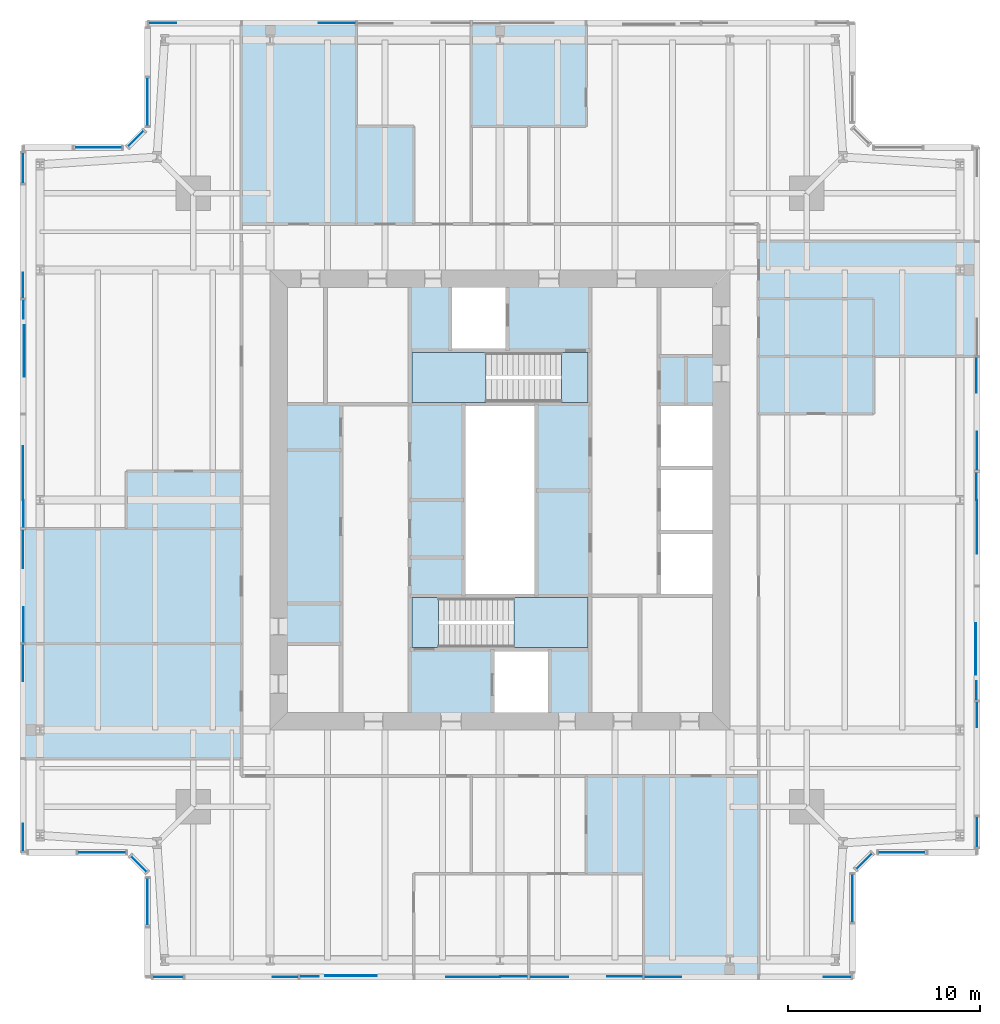
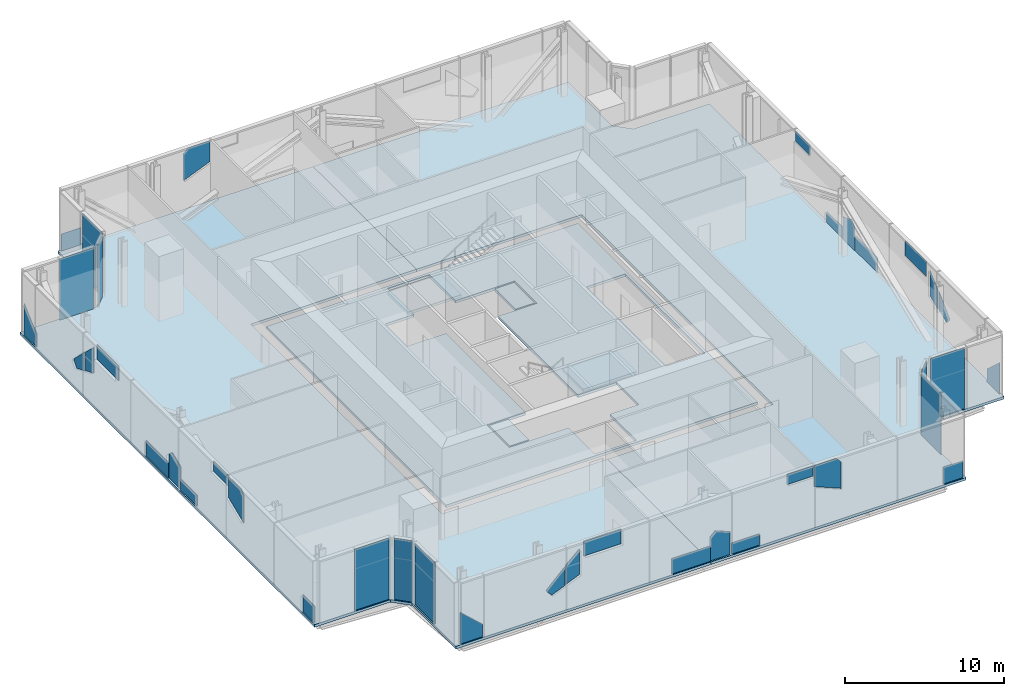
# One storey, part 6 of 15: 39 plates, 7 slabs, 15 elements without a shape of their own.
"""IFC4 building model written with IfcOpenShell, lengths in metres."""

from ifc_helpers import new_model, si_unit, direction, frame, origin, origin_2d, place, context, subcontext, project, spatial, polyline, rectangle, outline, extrude, material, layer, layer_set, type_object, element, aggregate, save


model = new_model("IFC4")

# Units and contexts
model_context = context("Model", 3, precision=1e-05, world=origin(), true_north=direction((0.0, 1.0)))
body_context = subcontext(model_context, "Body", "Model", "MODEL_VIEW")
ifc_project = project(units=[si_unit("LENGTHUNIT", "METRE"), si_unit("AREAUNIT", "SQUARE_METRE"), si_unit("VOLUMEUNIT", "CUBIC_METRE"), si_unit("PLANEANGLEUNIT", "RADIAN"), si_unit("MASSUNIT", "GRAM", prefix="KILO")], contexts=[model_context])

# Site, building, storey
site_placement = place(None, origin())
site = spatial("IfcSite", under=ifc_project, at=site_placement, CompositionType="ELEMENT")
building_placement = place(site_placement, origin())
building = spatial("IfcBuilding", under=site, at=building_placement, Name="Fenwick Lantern Interchange", CompositionType="ELEMENT")
storey_placement = place(building_placement, frame((0.0, 0.0, 296.800048828125)))
storey = spatial("IfcBuildingStorey", under=building, at=storey_placement, Name="L72", CompositionType="ELEMENT", Elevation=296.800048828125)

# Slabs
ifc_material_1 = material(Name="Concrete f'c 35 MPa", Category="concrete")
ifc_layer_1 = layer(ifc_material_1, 0.199951171875)
ifc_layer_set_1 = layer_set([ifc_layer_1], Name="CORE FLOOR SLAB 200")
slab_type_1 = type_object("IfcSlabType", Name="CORE FLOOR SLAB 200", PredefinedType="FLOOR", material=ifc_layer_set_1)
slab_1_placement = place(storey_placement, frame((0.0, 0.0, -0.199951171875)))
element("IfcSlab", 1, at=slab_1_placement, inside=storey, type_object=slab_type_1, Name="L72/SLAB/CORE", PredefinedType="FLOOR", context=body_context, shape_type="SweptSolid", body=[
    extrude(outline(polyline([(13.699951171875, 36.300048828125), (36.300048828125, 36.300048828125), (36.300048828125, 13.699951171875), (13.699951171875, 13.699951171875), (13.699951171875, 36.300048828125)]), holes=[polyline([(24.60009765625, 13.89990234375), (27.60009765625, 13.89990234375), (27.60009765625, 17.199951171875), (29.699951171875, 17.199951171875), (29.699951171875, 20.0), (26.89990234375, 20.0), (26.89990234375, 30.0), (29.699951171875, 30.0), (29.699951171875, 32.800048828125), (25.39990234375, 32.800048828125), (25.39990234375, 36.10009765625), (22.39990234375, 36.10009765625), (22.39990234375, 32.800048828125), (20.300048828125, 32.800048828125), (20.300048828125, 30.0), (23.10009765625, 30.0), (23.10009765625, 20.0), (20.300048828125, 20.0), (20.300048828125, 17.199951171875), (24.60009765625, 17.199951171875), (24.60009765625, 13.89990234375)]), polyline([(33.300048828125, 20.0), (36.10009765625, 20.0), (36.10009765625, 23.333251953125), (36.10009765625, 26.666748046875), (36.10009765625, 30.0), (33.300048828125, 30.0), (33.300048828125, 26.666748046875), (33.300048828125, 23.333251953125), (33.300048828125, 20.0)])]), origin(), (0.0, 0.0, 1.0), 0.199951171875),
])
ifc_material_2 = material(Name="Concrete f'c 35 MPa", Category="concrete")
ifc_layer_2 = layer(ifc_material_2, 0.199951171875)
ifc_layer_set_2 = layer_set([ifc_layer_2], Name="Concrete f'c 35 MPa")
slab_type_2 = type_object("IfcSlabType", Name="FLOOR SLAB 200", PredefinedType="FLOOR", material=ifc_layer_set_2)
slab_2_placement = place(storey_placement, frame((0.0, 0.0, -0.199951171875)))
element("IfcSlab", 2, at=slab_2_placement, inside=storey, type_object=slab_type_2, Name="L72/SLAB/FW", PredefinedType="FLOOR", context=body_context, shape_type="SweptSolid", body=[
    extrude(outline(polyline([(6.5, 0.0), (6.5, 5.5), (5.5, 6.5), (0.0, 6.5), (0.0, 43.5), (5.5, 43.5), (6.5, 44.5), (6.5, 50.0), (25.0, 50.0), (25.0, 37.0), (13.0, 37.0), (13.0, 13.0), (25.0, 13.0), (25.0, 0.0), (6.5, 0.0)])), origin(), (0.0, 0.0, 1.0), 0.199951171875),
])
slab_3_placement = place(storey_placement, frame((0.0, 0.0, -0.199951171875)))
element("IfcSlab", 3, at=slab_3_placement, inside=storey, type_object=slab_type_2, Name="L72/SLAB/FE", PredefinedType="FLOOR", context=body_context, shape_type="SweptSolid", body=[
    extrude(outline(polyline([(43.5, 50.0), (43.5, 44.5), (44.5, 43.5), (50.0, 43.5), (50.0, 6.5), (44.5, 6.5), (43.5, 5.5), (43.5, 0.0), (25.0, 0.0), (25.0, 13.0), (37.0, 13.0), (37.0, 37.0), (25.0, 37.0), (25.0, 50.0), (43.5, 50.0)])), origin(), (0.0, 0.0, 1.0), 0.199951171875),
])

# Curtain wall, plates
ifc_material_3 = material(Name="Aluminium curtain wall frame", Category="aluminium")
curtain_wall_type = type_object("IfcCurtainWallType", Name="SKY LOBBY GLAZING", PredefinedType="USERDEFINED", material=ifc_material_3)
curtain_wall_1_placement = place(storey_placement, origin())
curtain_wall_1 = element("IfcCurtainWall", 4, at=curtain_wall_1_placement, inside=storey, type_object=curtain_wall_type, Name="Sky lobby glazing 01", ObjectType="SKY LOBBY GLAZING", PredefinedType="USERDEFINED")
ifc_material_4 = material(Name="Vision glass, clear laminated double glazed", Category="glass")
ifc_layer_3 = layer(ifc_material_4, 0.035888671875)
ifc_layer_set_3 = layer_set([ifc_layer_3], Name="SKY LOBBY GLAZING PANEL 36")
plate_type = type_object("IfcPlateType", Name="SKY LOBBY GLAZING PANEL 36", PredefinedType="CURTAIN_PANEL", material=ifc_layer_set_3)
plate_1_placement = place(storey_placement, frame((6.60009765625, 0.10009765625, 0.0), z_axis=(0.0, 0.0, 1.0), x_axis=(1.0, 0.0, 0.0)))
plate_1 = element("IfcPlate", 5, at=plate_1_placement, type_object=plate_type, Name="L72/CW/01/P00a", PredefinedType="CURTAIN_PANEL", context=body_context, shape_type="SweptSolid", body=[
    extrude(outline(polyline([(0.280029296875, 0.0), (1.860107421875, 0.0), (1.860107421875, 0.9736328125), (0.280029296875, 2.409912109375), (0.280029296875, 0.0)])), frame((0.0, 0.01806640625, 0.0), z_axis=(0.0, -1.0, 0.0), x_axis=(1.0, 0.0, 0.0)), (0.0, 0.0, 1.0), 0.035888671875),
])
plate_2_placement = place(storey_placement, frame((6.60009765625, 0.10009765625, 1.433837890625), z_axis=(0.0, 0.0, 1.0), x_axis=(1.0, 0.0, 0.0)))
plate_2 = element("IfcPlate", 6, at=plate_2_placement, type_object=plate_type, Name="L72/CW/01/P01a", PredefinedType="CURTAIN_PANEL", context=body_context, shape_type="SweptSolid", body=[
    extrude(outline(polyline([(6.891845703125, 0.0), (7.860107421875, 0.403564453125), (7.860107421875, 1.812744140625), (7.64501953125, 1.61572265625), (6.548095703125, 0.5185546875), (6.548095703125, 0.386474609375), (6.891845703125, 0.0)])), frame((0.0, 0.01806640625, 0.0), z_axis=(0.0, -1.0, 0.0), x_axis=(1.0, 0.0, 0.0)), (0.0, 0.0, 1.0), 0.035888671875),
])
plate_3_placement = place(storey_placement, frame((6.60009765625, 0.10009765625, 1.87060546875), z_axis=(0.0, 0.0, 1.0), x_axis=(1.0, 0.0, 0.0)))
plate_3 = element("IfcPlate", 7, at=plate_3_placement, type_object=plate_type, Name="L72/CW/01/P02a", PredefinedType="CURTAIN_PANEL", context=body_context, shape_type="SweptSolid", body=[
    extrude(outline(polyline([(7.93994140625, 0.0), (8.943115234375, 0.41796875), (8.943115234375, 2.36865234375), (7.93994140625, 1.44921875), (7.93994140625, 0.0)])), frame((0.0, 0.05615234375, 0.0), z_axis=(0.0, -1.0, 0.0), x_axis=(1.0, 0.0, 0.0)), (0.0, 0.0, 1.0), 0.035888671875),
])
plate_4_placement = place(storey_placement, frame((6.60009765625, 0.10009765625, 3.55322265625), z_axis=(0.0, 0.0, 1.0), x_axis=(1.0, 0.0, 0.0)))
plate_4 = element("IfcPlate", 8, at=plate_4_placement, type_object=plate_type, Name="L72/CW/01/P02b", PredefinedType="CURTAIN_PANEL", context=body_context, shape_type="SweptSolid", body=[
    extrude(outline(polyline([(9.278076171875, 0.0), (11.978271484375, 0.0), (11.978271484375, 1.126708984375), (9.278076171875, 1.126708984375), (9.278076171875, 0.0)])), frame((0.0, 0.09375, 0.0), z_axis=(0.0, -1.0, 0.0), x_axis=(1.0, 0.0, 0.0)), (0.0, 0.0, 1.0), 0.035888671875),
])
plate_5_placement = place(storey_placement, frame((6.60009765625, 0.10009765625, 0.0), z_axis=(0.0, 0.0, 1.0), x_axis=(1.0, 0.0, 0.0)))
plate_5 = element("IfcPlate", 9, at=plate_5_placement, type_object=plate_type, Name="L72/CW/01/P03a", PredefinedType="CURTAIN_PANEL", context=body_context, shape_type="SweptSolid", body=[
    extrude(outline(polyline([(15.60498046875, 0.0), (18.39990234375, 0.0), (18.39990234375, 1.164306640625), (15.60498046875, 1.164306640625), (15.60498046875, 0.0)])), frame((0.0, 0.01806640625, 0.0), z_axis=(0.0, -1.0, 0.0), x_axis=(1.0, 0.0, 0.0)), (0.0, 0.0, 1.0), 0.035888671875),
])
plate_6_placement = place(storey_placement, frame((6.60009765625, 0.10009765625, 0.0), z_axis=(0.0, 0.0, 1.0), x_axis=(1.0, 0.0, 0.0)))
plate_6 = element("IfcPlate", 10, at=plate_6_placement, type_object=plate_type, Name="L72/CW/01/P03b", PredefinedType="CURTAIN_PANEL", context=body_context, shape_type="SweptSolid", body=[
    extrude(outline(polyline([(18.39990234375, 0.0), (19.860107421875, 0.0), (19.860107421875, 1.720703125), (18.770263671875, 2.174560546875), (18.39990234375, 1.804443359375), (18.39990234375, 0.0)])), frame((0.0, 0.05615234375, 0.0), z_axis=(0.0, -1.0, 0.0), x_axis=(1.0, 0.0, 0.0)), (0.0, 0.0, 1.0), 0.035888671875),
])
plate_7_placement = place(storey_placement, frame((6.60009765625, 0.10009765625, 0.0), z_axis=(0.0, 0.0, 1.0), x_axis=(1.0, 0.0, 0.0)))
plate_7 = element("IfcPlate", 11, at=plate_7_placement, type_object=plate_type, Name="L72/CW/01/P04a", PredefinedType="CURTAIN_PANEL", context=body_context, shape_type="SweptSolid", body=[
    extrude(outline(polyline([(19.93994140625, 0.0), (21.965087890625, 0.0), (21.965087890625, 0.843505859375), (19.93994140625, 0.843505859375), (19.93994140625, 0.0)])), frame((0.0, 0.01806640625, 0.0), z_axis=(0.0, -1.0, 0.0), x_axis=(1.0, 0.0, 0.0)), (0.0, 0.0, 1.0), 0.035888671875),
])
plate_8_placement = place(storey_placement, frame((6.60009765625, 0.10009765625, 3.90087890625), z_axis=(0.0, 0.0, 1.0), x_axis=(1.0, 0.0, 0.0)))
plate_8 = element("IfcPlate", 12, at=plate_8_placement, type_object=plate_type, Name="L72/CW/01/P04b", PredefinedType="CURTAIN_PANEL", context=body_context, shape_type="SweptSolid", body=[
    extrude(outline(polyline([(23.987548828125, 0.0), (25.860107421875, 0.0), (25.860107421875, 0.779052734375), (23.987548828125, 0.779052734375), (23.987548828125, 0.0)])), frame((0.0, 0.05615234375, 0.0), z_axis=(0.0, -1.0, 0.0), x_axis=(1.0, 0.0, 0.0)), (0.0, 0.0, 1.0), 0.035888671875),
])
plate_9_placement = place(storey_placement, frame((6.60009765625, 0.10009765625, 2.28857421875), z_axis=(0.0, 0.0, 1.0), x_axis=(1.0, 0.0, 0.0)))
plate_9 = element("IfcPlate", 13, at=plate_9_placement, type_object=plate_type, Name="L72/CW/01/P05a", PredefinedType="CURTAIN_PANEL", context=body_context, shape_type="SweptSolid", body=[
    extrude(outline(polyline([(27.85693359375, 0.0), (27.85693359375, 2.05908203125), (27.5244140625, 2.391357421875), (25.93994140625, 2.391357421875), (25.93994140625, 0.798828125), (27.85693359375, 0.0)])), frame((0.0, 0.01806640625, 0.0), z_axis=(0.0, -1.0, 0.0), x_axis=(1.0, 0.0, 0.0)), (0.0, 0.0, 1.0), 0.035888671875),
])
plate_10_placement = place(storey_placement, frame((6.60009765625, 0.10009765625, 0.0), z_axis=(0.0, 0.0, 1.0), x_axis=(1.0, 0.0, 0.0)))
plate_10 = element("IfcPlate", 14, at=plate_10_placement, type_object=plate_type, Name="L72/CW/01/P06a", PredefinedType="CURTAIN_PANEL", context=body_context, shape_type="SweptSolid", body=[
    extrude(outline(polyline([(35.2939453125, 0.0), (36.719970703125, 0.0), (36.719970703125, 1.29541015625), (35.2939453125, 1.29541015625), (35.2939453125, 0.0)])), frame((0.0, 0.01806640625, 0.0), z_axis=(0.0, -1.0, 0.0), x_axis=(1.0, 0.0, 0.0)), (0.0, 0.0, 1.0), 0.035888671875),
])
aggregate(curtain_wall_1, [plate_1, plate_2, plate_3, plate_4, plate_5, plate_6, plate_7, plate_8, plate_9, plate_10])

# Curtain wall, plate
curtain_wall_2_placement = place(storey_placement, origin())
curtain_wall_2 = element("IfcCurtainWall", 15, at=curtain_wall_2_placement, inside=storey, type_object=curtain_wall_type, Name="Sky lobby glazing 02", ObjectType="SKY LOBBY GLAZING", PredefinedType="USERDEFINED")
plate_11_placement = place(storey_placement, frame((43.39990234375, 4.211181640625, 0.0), z_axis=(0.0, 0.0, 1.0), x_axis=(0.0, 1.0, 0.0)))
plate_11 = element("IfcPlate", 16, at=plate_11_placement, type_object=plate_type, Name="L72/CW/02/P01", PredefinedType="CURTAIN_PANEL", context=body_context, shape_type="SweptSolid", body=[
    extrude(rectangle(XDim=2.500732421875, YDim=0.035888671875, at=origin_2d()), origin(), (0.0, 0.0, 1.0), 4.679931640625),
])
aggregate(curtain_wall_2, [plate_11])

curtain_wall_3_placement = place(storey_placement, origin())
curtain_wall_3 = element("IfcCurtainWall", 17, at=curtain_wall_3_placement, inside=storey, type_object=curtain_wall_type, Name="Sky lobby glazing 03", ObjectType="SKY LOBBY GLAZING", PredefinedType="USERDEFINED")
plate_12_placement = place(storey_placement, frame((44.0, 6.141357421875, 0.0), z_axis=(0.0, 0.0, 1.0), x_axis=(0.707106781187, 0.707106781187, 0.0)))
plate_12 = element("IfcPlate", 18, at=plate_12_placement, type_object=plate_type, Name="L72/CW/03/P00", PredefinedType="CURTAIN_PANEL", context=body_context, shape_type="SweptSolid", body=[
    extrude(rectangle(XDim=1.136962890625, YDim=0.035888671875, at=origin_2d()), origin(), (0.0, 0.0, 1.0), 4.679931640625),
])
aggregate(curtain_wall_3, [plate_12])

curtain_wall_4_placement = place(storey_placement, origin())
curtain_wall_4 = element("IfcCurtainWall", 19, at=curtain_wall_4_placement, inside=storey, type_object=curtain_wall_type, Name="Sky lobby glazing 04", ObjectType="SKY LOBBY GLAZING", PredefinedType="USERDEFINED")
plate_13_placement = place(storey_placement, frame((44.45849609375, 6.60009765625, 0.0), z_axis=(0.0, 0.0, 1.0), x_axis=(1.0, 0.0, 0.0)))
plate_13 = element("IfcPlate", 20, at=plate_13_placement, type_object=plate_type, Name="L72/CW/04/P00a", PredefinedType="CURTAIN_PANEL", context=body_context, shape_type="SweptSolid", body=[
    extrude(outline(polyline([(0.280029296875, 0.0), (2.741455078125, 0.0), (2.741455078125, 4.679931640625), (0.280029296875, 4.679931640625), (0.280029296875, 0.0)])), frame((0.0, 0.01806640625, 0.0), z_axis=(0.0, -1.0, 0.0), x_axis=(1.0, 0.0, 0.0)), (0.0, 0.0, 1.0), 0.035888671875),
])
aggregate(curtain_wall_4, [plate_13])

# Curtain wall, plates
curtain_wall_5_placement = place(storey_placement, origin())
curtain_wall_5 = element("IfcCurtainWall", 21, at=curtain_wall_5_placement, inside=storey, type_object=curtain_wall_type, Name="Sky lobby glazing 05", ObjectType="SKY LOBBY GLAZING", PredefinedType="USERDEFINED")
plate_14_placement = place(storey_placement, frame((49.89990234375, 6.60009765625, 0.0), z_axis=(0.0, 0.0, 1.0), x_axis=(0.0, 1.0, 0.0)))
plate_14 = element("IfcPlate", 22, at=plate_14_placement, type_object=plate_type, Name="L72/CW/05/P00a", PredefinedType="CURTAIN_PANEL", context=body_context, shape_type="SweptSolid", body=[
    extrude(outline(polyline([(0.280029296875, 0.0), (1.860107421875, 0.0), (1.860107421875, 0.9736328125), (0.280029296875, 2.409912109375), (0.280029296875, 0.0)])), frame((0.0, 0.01806640625, 0.0), z_axis=(0.0, -1.0, 0.0), x_axis=(1.0, 0.0, 0.0)), (0.0, 0.0, 1.0), 0.035888671875),
])
plate_15_placement = place(storey_placement, frame((49.89990234375, 6.60009765625, 1.433837890625), z_axis=(0.0, 0.0, 1.0), x_axis=(0.0, 1.0, 0.0)))
plate_15 = element("IfcPlate", 23, at=plate_15_placement, type_object=plate_type, Name="L72/CW/05/P01a", PredefinedType="CURTAIN_PANEL", context=body_context, shape_type="SweptSolid", body=[
    extrude(outline(polyline([(6.891845703125, 0.0), (7.860107421875, 0.403564453125), (7.860107421875, 1.812744140625), (7.64501953125, 1.61572265625), (6.548095703125, 0.5185546875), (6.548095703125, 0.386474609375), (6.891845703125, 0.0)])), frame((0.0, 0.01806640625, 0.0), z_axis=(0.0, -1.0, 0.0), x_axis=(1.0, 0.0, 0.0)), (0.0, 0.0, 1.0), 0.035888671875),
])
plate_16_placement = place(storey_placement, frame((49.89990234375, 6.60009765625, 1.87060546875), z_axis=(0.0, 0.0, 1.0), x_axis=(0.0, 1.0, 0.0)))
plate_16 = element("IfcPlate", 24, at=plate_16_placement, type_object=plate_type, Name="L72/CW/05/P02a", PredefinedType="CURTAIN_PANEL", context=body_context, shape_type="SweptSolid", body=[
    extrude(outline(polyline([(7.93994140625, 0.0), (8.943115234375, 0.41796875), (8.943115234375, 2.36865234375), (7.93994140625, 1.44921875), (7.93994140625, 0.0)])), frame((0.0, 0.05615234375, 0.0), z_axis=(0.0, -1.0, 0.0), x_axis=(1.0, 0.0, 0.0)), (0.0, 0.0, 1.0), 0.035888671875),
])
plate_17_placement = place(storey_placement, frame((49.89990234375, 6.60009765625, 3.55322265625), z_axis=(0.0, 0.0, 1.0), x_axis=(0.0, 1.0, 0.0)))
plate_17 = element("IfcPlate", 25, at=plate_17_placement, type_object=plate_type, Name="L72/CW/05/P02b", PredefinedType="CURTAIN_PANEL", context=body_context, shape_type="SweptSolid", body=[
    extrude(outline(polyline([(9.278076171875, 0.0), (11.978271484375, 0.0), (11.978271484375, 1.126708984375), (9.278076171875, 1.126708984375), (9.278076171875, 0.0)])), frame((0.0, 0.09375, 0.0), z_axis=(0.0, -1.0, 0.0), x_axis=(1.0, 0.0, 0.0)), (0.0, 0.0, 1.0), 0.035888671875),
])
plate_18_placement = place(storey_placement, frame((49.89990234375, 6.60009765625, 0.0), z_axis=(0.0, 0.0, 1.0), x_axis=(0.0, 1.0, 0.0)))
plate_18 = element("IfcPlate", 26, at=plate_18_placement, type_object=plate_type, Name="L72/CW/05/P03a", PredefinedType="CURTAIN_PANEL", context=body_context, shape_type="SweptSolid", body=[
    extrude(outline(polyline([(15.60498046875, 0.0), (18.39990234375, 0.0), (18.39990234375, 1.164306640625), (15.60498046875, 1.164306640625), (15.60498046875, 0.0)])), frame((0.0, 0.01806640625, 0.0), z_axis=(0.0, -1.0, 0.0), x_axis=(1.0, 0.0, 0.0)), (0.0, 0.0, 1.0), 0.035888671875),
])
plate_19_placement = place(storey_placement, frame((49.89990234375, 6.60009765625, 0.0), z_axis=(0.0, 0.0, 1.0), x_axis=(0.0, 1.0, 0.0)))
plate_19 = element("IfcPlate", 27, at=plate_19_placement, type_object=plate_type, Name="L72/CW/05/P03b", PredefinedType="CURTAIN_PANEL", context=body_context, shape_type="SweptSolid", body=[
    extrude(outline(polyline([(18.39990234375, 0.0), (19.860107421875, 0.0), (19.860107421875, 1.720703125), (18.770263671875, 2.174560546875), (18.39990234375, 1.804443359375), (18.39990234375, 0.0)])), frame((0.0, 0.05615234375, 0.0), z_axis=(0.0, -1.0, 0.0), x_axis=(1.0, 0.0, 0.0)), (0.0, 0.0, 1.0), 0.035888671875),
])
plate_20_placement = place(storey_placement, frame((49.89990234375, 6.60009765625, 0.0), z_axis=(0.0, 0.0, 1.0), x_axis=(0.0, 1.0, 0.0)))
plate_20 = element("IfcPlate", 28, at=plate_20_placement, type_object=plate_type, Name="L72/CW/05/P04a", PredefinedType="CURTAIN_PANEL", context=body_context, shape_type="SweptSolid", body=[
    extrude(outline(polyline([(19.93994140625, 0.0), (21.965087890625, 0.0), (21.965087890625, 0.843505859375), (19.93994140625, 0.843505859375), (19.93994140625, 0.0)])), frame((0.0, 0.01806640625, 0.0), z_axis=(0.0, -1.0, 0.0), x_axis=(1.0, 0.0, 0.0)), (0.0, 0.0, 1.0), 0.035888671875),
])
plate_21_placement = place(storey_placement, frame((49.89990234375, 6.60009765625, 3.90087890625), z_axis=(0.0, 0.0, 1.0), x_axis=(0.0, 1.0, 0.0)))
plate_21 = element("IfcPlate", 29, at=plate_21_placement, type_object=plate_type, Name="L72/CW/05/P04b", PredefinedType="CURTAIN_PANEL", context=body_context, shape_type="SweptSolid", body=[
    extrude(outline(polyline([(23.987548828125, 0.0), (25.860107421875, 0.0), (25.860107421875, 0.779052734375), (23.987548828125, 0.779052734375), (23.987548828125, 0.0)])), frame((0.0, 0.05615234375, 0.0), z_axis=(0.0, -1.0, 0.0), x_axis=(1.0, 0.0, 0.0)), (0.0, 0.0, 1.0), 0.035888671875),
])
aggregate(curtain_wall_5, [plate_14, plate_15, plate_16, plate_17, plate_18, plate_19, plate_20, plate_21])

curtain_wall_6_placement = place(storey_placement, origin())
curtain_wall_6 = element("IfcCurtainWall", 30, at=curtain_wall_6_placement, inside=storey, type_object=curtain_wall_type, Name="Sky lobby glazing 09", ObjectType="SKY LOBBY GLAZING", PredefinedType="USERDEFINED")
plate_22_placement = place(storey_placement, frame((43.39990234375, 49.89990234375, 2.28857421875), z_axis=(0.0, 0.0, 1.0), x_axis=(-1.0, 0.0, 0.0)))
plate_22 = element("IfcPlate", 31, at=plate_22_placement, type_object=plate_type, Name="L72/CW/09/P05a", PredefinedType="CURTAIN_PANEL", context=body_context, shape_type="SweptSolid", body=[
    extrude(outline(polyline([(27.85693359375, 0.0), (27.85693359375, 2.05908203125), (27.5244140625, 2.391357421875), (25.93994140625, 2.391357421875), (25.93994140625, 0.798828125), (27.85693359375, 0.0)])), frame((0.0, 0.01806640625, 0.0), z_axis=(0.0, -1.0, 0.0), x_axis=(1.0, 0.0, 0.0)), (0.0, 0.0, 1.0), 0.035888671875),
])
plate_23_placement = place(storey_placement, frame((43.39990234375, 49.89990234375, 0.0), z_axis=(0.0, 0.0, 1.0), x_axis=(-1.0, 0.0, 0.0)))
plate_23 = element("IfcPlate", 32, at=plate_23_placement, type_object=plate_type, Name="L72/CW/09/P06a", PredefinedType="CURTAIN_PANEL", context=body_context, shape_type="SweptSolid", body=[
    extrude(outline(polyline([(35.2939453125, 0.0), (36.719970703125, 0.0), (36.719970703125, 1.29541015625), (35.2939453125, 1.29541015625), (35.2939453125, 0.0)])), frame((0.0, 0.01806640625, 0.0), z_axis=(0.0, -1.0, 0.0), x_axis=(1.0, 0.0, 0.0)), (0.0, 0.0, 1.0), 0.035888671875),
])
aggregate(curtain_wall_6, [plate_22, plate_23])

# Curtain wall, plate
curtain_wall_7_placement = place(storey_placement, origin())
curtain_wall_7 = element("IfcCurtainWall", 33, at=curtain_wall_7_placement, inside=storey, type_object=curtain_wall_type, Name="Sky lobby glazing 10", ObjectType="SKY LOBBY GLAZING", PredefinedType="USERDEFINED")
plate_24_placement = place(storey_placement, frame((6.60009765625, 45.788818359375, 0.0), z_axis=(0.0, 0.0, 1.0), x_axis=(0.0, -1.0, 0.0)))
plate_24 = element("IfcPlate", 34, at=plate_24_placement, type_object=plate_type, Name="L72/CW/10/P01", PredefinedType="CURTAIN_PANEL", context=body_context, shape_type="SweptSolid", body=[
    extrude(rectangle(XDim=2.500732421875, YDim=0.035888671875, at=origin_2d()), origin(), (0.0, 0.0, 1.0), 4.679931640625),
])
aggregate(curtain_wall_7, [plate_24])

curtain_wall_8_placement = place(storey_placement, origin())
curtain_wall_8 = element("IfcCurtainWall", 35, at=curtain_wall_8_placement, inside=storey, type_object=curtain_wall_type, Name="Sky lobby glazing 11", ObjectType="SKY LOBBY GLAZING", PredefinedType="USERDEFINED")
plate_25_placement = place(storey_placement, frame((6.0, 43.858642578125, 0.0), z_axis=(0.0, 0.0, 1.0), x_axis=(-0.707106781187, -0.707106781187, 0.0)))
plate_25 = element("IfcPlate", 36, at=plate_25_placement, type_object=plate_type, Name="L72/CW/11/P00", PredefinedType="CURTAIN_PANEL", context=body_context, shape_type="SweptSolid", body=[
    extrude(rectangle(XDim=1.136962890625, YDim=0.035888671875, at=origin_2d()), origin(), (0.0, 0.0, 1.0), 4.679931640625),
])
aggregate(curtain_wall_8, [plate_25])

curtain_wall_9_placement = place(storey_placement, origin())
curtain_wall_9 = element("IfcCurtainWall", 37, at=curtain_wall_9_placement, inside=storey, type_object=curtain_wall_type, Name="Sky lobby glazing 12", ObjectType="SKY LOBBY GLAZING", PredefinedType="USERDEFINED")
plate_26_placement = place(storey_placement, frame((5.54150390625, 43.39990234375, 0.0), z_axis=(0.0, 0.0, 1.0), x_axis=(-1.0, 0.0, 0.0)))
plate_26 = element("IfcPlate", 38, at=plate_26_placement, type_object=plate_type, Name="L72/CW/12/P00a", PredefinedType="CURTAIN_PANEL", context=body_context, shape_type="SweptSolid", body=[
    extrude(outline(polyline([(0.280029296875, 0.0), (2.741455078125, 0.0), (2.741455078125, 4.679931640625), (0.280029296875, 4.679931640625), (0.280029296875, 0.0)])), frame((0.0, 0.01806640625, 0.0), z_axis=(0.0, -1.0, 0.0), x_axis=(1.0, 0.0, 0.0)), (0.0, 0.0, 1.0), 0.035888671875),
])
aggregate(curtain_wall_9, [plate_26])

# Curtain wall, plates
curtain_wall_10_placement = place(storey_placement, origin())
curtain_wall_10 = element("IfcCurtainWall", 39, at=curtain_wall_10_placement, inside=storey, type_object=curtain_wall_type, Name="Sky lobby glazing 13", ObjectType="SKY LOBBY GLAZING", PredefinedType="USERDEFINED")
plate_27_placement = place(storey_placement, frame((0.10009765625, 43.39990234375, 0.0), z_axis=(0.0, 0.0, 1.0), x_axis=(0.0, -1.0, 0.0)))
plate_27 = element("IfcPlate", 40, at=plate_27_placement, type_object=plate_type, Name="L72/CW/13/P00a", PredefinedType="CURTAIN_PANEL", context=body_context, shape_type="SweptSolid", body=[
    extrude(outline(polyline([(0.280029296875, 0.0), (1.860107421875, 0.0), (1.860107421875, 0.9736328125), (0.280029296875, 2.409912109375), (0.280029296875, 0.0)])), frame((0.0, 0.01806640625, 0.0), z_axis=(0.0, -1.0, 0.0), x_axis=(1.0, 0.0, 0.0)), (0.0, 0.0, 1.0), 0.035888671875),
])
plate_28_placement = place(storey_placement, frame((0.10009765625, 43.39990234375, 1.433837890625), z_axis=(0.0, 0.0, 1.0), x_axis=(0.0, -1.0, 0.0)))
plate_28 = element("IfcPlate", 41, at=plate_28_placement, type_object=plate_type, Name="L72/CW/13/P01a", PredefinedType="CURTAIN_PANEL", context=body_context, shape_type="SweptSolid", body=[
    extrude(outline(polyline([(6.891845703125, 0.0), (7.860107421875, 0.403564453125), (7.860107421875, 1.812744140625), (7.64501953125, 1.61572265625), (6.548095703125, 0.5185546875), (6.548095703125, 0.386474609375), (6.891845703125, 0.0)])), frame((0.0, 0.01806640625, 0.0), z_axis=(0.0, -1.0, 0.0), x_axis=(1.0, 0.0, 0.0)), (0.0, 0.0, 1.0), 0.035888671875),
])
plate_29_placement = place(storey_placement, frame((0.10009765625, 43.39990234375, 1.87060546875), z_axis=(0.0, 0.0, 1.0), x_axis=(0.0, -1.0, 0.0)))
plate_29 = element("IfcPlate", 42, at=plate_29_placement, type_object=plate_type, Name="L72/CW/13/P02a", PredefinedType="CURTAIN_PANEL", context=body_context, shape_type="SweptSolid", body=[
    extrude(outline(polyline([(7.93994140625, 0.0), (8.943115234375, 0.41796875), (8.943115234375, 2.36865234375), (7.93994140625, 1.44921875), (7.93994140625, 0.0)])), frame((0.0, 0.05615234375, 0.0), z_axis=(0.0, -1.0, 0.0), x_axis=(1.0, 0.0, 0.0)), (0.0, 0.0, 1.0), 0.035888671875),
])
plate_30_placement = place(storey_placement, frame((0.10009765625, 43.39990234375, 3.55322265625), z_axis=(0.0, 0.0, 1.0), x_axis=(0.0, -1.0, 0.0)))
plate_30 = element("IfcPlate", 43, at=plate_30_placement, type_object=plate_type, Name="L72/CW/13/P02b", PredefinedType="CURTAIN_PANEL", context=body_context, shape_type="SweptSolid", body=[
    extrude(outline(polyline([(9.278076171875, 0.0), (11.978271484375, 0.0), (11.978271484375, 1.126708984375), (9.278076171875, 1.126708984375), (9.278076171875, 0.0)])), frame((0.0, 0.09375, 0.0), z_axis=(0.0, -1.0, 0.0), x_axis=(1.0, 0.0, 0.0)), (0.0, 0.0, 1.0), 0.035888671875),
])
plate_31_placement = place(storey_placement, frame((0.10009765625, 43.39990234375, 0.0), z_axis=(0.0, 0.0, 1.0), x_axis=(0.0, -1.0, 0.0)))
plate_31 = element("IfcPlate", 44, at=plate_31_placement, type_object=plate_type, Name="L72/CW/13/P03a", PredefinedType="CURTAIN_PANEL", context=body_context, shape_type="SweptSolid", body=[
    extrude(outline(polyline([(15.60498046875, 0.0), (18.39990234375, 0.0), (18.39990234375, 1.164306640625), (15.60498046875, 1.164306640625), (15.60498046875, 0.0)])), frame((0.0, 0.01806640625, 0.0), z_axis=(0.0, -1.0, 0.0), x_axis=(1.0, 0.0, 0.0)), (0.0, 0.0, 1.0), 0.035888671875),
])
plate_32_placement = place(storey_placement, frame((0.10009765625, 43.39990234375, 0.0), z_axis=(0.0, 0.0, 1.0), x_axis=(0.0, -1.0, 0.0)))
plate_32 = element("IfcPlate", 45, at=plate_32_placement, type_object=plate_type, Name="L72/CW/13/P03b", PredefinedType="CURTAIN_PANEL", context=body_context, shape_type="SweptSolid", body=[
    extrude(outline(polyline([(18.39990234375, 0.0), (19.860107421875, 0.0), (19.860107421875, 1.720703125), (18.770263671875, 2.174560546875), (18.39990234375, 1.804443359375), (18.39990234375, 0.0)])), frame((0.0, 0.05615234375, 0.0), z_axis=(0.0, -1.0, 0.0), x_axis=(1.0, 0.0, 0.0)), (0.0, 0.0, 1.0), 0.035888671875),
])
plate_33_placement = place(storey_placement, frame((0.10009765625, 43.39990234375, 0.0), z_axis=(0.0, 0.0, 1.0), x_axis=(0.0, -1.0, 0.0)))
plate_33 = element("IfcPlate", 46, at=plate_33_placement, type_object=plate_type, Name="L72/CW/13/P04a", PredefinedType="CURTAIN_PANEL", context=body_context, shape_type="SweptSolid", body=[
    extrude(outline(polyline([(19.93994140625, 0.0), (21.965087890625, 0.0), (21.965087890625, 0.843505859375), (19.93994140625, 0.843505859375), (19.93994140625, 0.0)])), frame((0.0, 0.01806640625, 0.0), z_axis=(0.0, -1.0, 0.0), x_axis=(1.0, 0.0, 0.0)), (0.0, 0.0, 1.0), 0.035888671875),
])
plate_34_placement = place(storey_placement, frame((0.10009765625, 43.39990234375, 3.90087890625), z_axis=(0.0, 0.0, 1.0), x_axis=(0.0, -1.0, 0.0)))
plate_34 = element("IfcPlate", 47, at=plate_34_placement, type_object=plate_type, Name="L72/CW/13/P04b", PredefinedType="CURTAIN_PANEL", context=body_context, shape_type="SweptSolid", body=[
    extrude(outline(polyline([(23.987548828125, 0.0), (25.860107421875, 0.0), (25.860107421875, 0.779052734375), (23.987548828125, 0.779052734375), (23.987548828125, 0.0)])), frame((0.0, 0.05615234375, 0.0), z_axis=(0.0, -1.0, 0.0), x_axis=(1.0, 0.0, 0.0)), (0.0, 0.0, 1.0), 0.035888671875),
])
plate_35_placement = place(storey_placement, frame((0.10009765625, 43.39990234375, 2.28857421875), z_axis=(0.0, 0.0, 1.0), x_axis=(0.0, -1.0, 0.0)))
plate_35 = element("IfcPlate", 48, at=plate_35_placement, type_object=plate_type, Name="L72/CW/13/P05a", PredefinedType="CURTAIN_PANEL", context=body_context, shape_type="SweptSolid", body=[
    extrude(outline(polyline([(27.85693359375, 0.0), (27.85693359375, 2.05908203125), (27.5244140625, 2.391357421875), (25.93994140625, 2.391357421875), (25.93994140625, 0.798828125), (27.85693359375, 0.0)])), frame((0.0, 0.01806640625, 0.0), z_axis=(0.0, -1.0, 0.0), x_axis=(1.0, 0.0, 0.0)), (0.0, 0.0, 1.0), 0.035888671875),
])
plate_36_placement = place(storey_placement, frame((0.10009765625, 43.39990234375, 0.0), z_axis=(0.0, 0.0, 1.0), x_axis=(0.0, -1.0, 0.0)))
plate_36 = element("IfcPlate", 49, at=plate_36_placement, type_object=plate_type, Name="L72/CW/13/P06a", PredefinedType="CURTAIN_PANEL", context=body_context, shape_type="SweptSolid", body=[
    extrude(outline(polyline([(35.2939453125, 0.0), (36.719970703125, 0.0), (36.719970703125, 1.29541015625), (35.2939453125, 1.29541015625), (35.2939453125, 0.0)])), frame((0.0, 0.01806640625, 0.0), z_axis=(0.0, -1.0, 0.0), x_axis=(1.0, 0.0, 0.0)), (0.0, 0.0, 1.0), 0.035888671875),
])
aggregate(curtain_wall_10, [plate_27, plate_28, plate_29, plate_30, plate_31, plate_32, plate_33, plate_34, plate_35, plate_36])

# Curtain wall, plate
curtain_wall_11_placement = place(storey_placement, origin())
curtain_wall_11 = element("IfcCurtainWall", 50, at=curtain_wall_11_placement, inside=storey, type_object=curtain_wall_type, Name="Sky lobby glazing 14", ObjectType="SKY LOBBY GLAZING", PredefinedType="USERDEFINED")
plate_37_placement = place(storey_placement, frame((4.211181640625, 6.60009765625, 0.0), z_axis=(0.0, 0.0, 1.0), x_axis=(1.0, 0.0, 0.0)))
plate_37 = element("IfcPlate", 51, at=plate_37_placement, type_object=plate_type, Name="L72/CW/14/P01", PredefinedType="CURTAIN_PANEL", context=body_context, shape_type="SweptSolid", body=[
    extrude(rectangle(XDim=2.500732421875, YDim=0.035888671875, at=origin_2d()), origin(), (0.0, 0.0, 1.0), 4.679931640625),
])
aggregate(curtain_wall_11, [plate_37])

curtain_wall_12_placement = place(storey_placement, origin())
curtain_wall_12 = element("IfcCurtainWall", 52, at=curtain_wall_12_placement, inside=storey, type_object=curtain_wall_type, Name="Sky lobby glazing 15", ObjectType="SKY LOBBY GLAZING", PredefinedType="USERDEFINED")
plate_38_placement = place(storey_placement, frame((6.141357421875, 6.0, 0.0), z_axis=(0.0, 0.0, 1.0), x_axis=(0.707106781187, -0.707106781187, 0.0)))
plate_38 = element("IfcPlate", 53, at=plate_38_placement, type_object=plate_type, Name="L72/CW/15/P00", PredefinedType="CURTAIN_PANEL", context=body_context, shape_type="SweptSolid", body=[
    extrude(rectangle(XDim=1.136962890625, YDim=0.035888671875, at=origin_2d()), origin(), (0.0, 0.0, 1.0), 4.679931640625),
])
aggregate(curtain_wall_12, [plate_38])

curtain_wall_13_placement = place(storey_placement, origin())
curtain_wall_13 = element("IfcCurtainWall", 54, at=curtain_wall_13_placement, inside=storey, type_object=curtain_wall_type, Name="Sky lobby glazing 16", ObjectType="SKY LOBBY GLAZING", PredefinedType="USERDEFINED")
plate_39_placement = place(storey_placement, frame((6.60009765625, 5.54150390625, 0.0), z_axis=(0.0, 0.0, 1.0), x_axis=(0.0, -1.0, 0.0)))
plate_39 = element("IfcPlate", 55, at=plate_39_placement, type_object=plate_type, Name="L72/CW/16/P00a", PredefinedType="CURTAIN_PANEL", context=body_context, shape_type="SweptSolid", body=[
    extrude(outline(polyline([(0.280029296875, 0.0), (2.741455078125, 0.0), (2.741455078125, 4.679931640625), (0.280029296875, 4.679931640625), (0.280029296875, 0.0)])), frame((0.0, 0.01806640625, 0.0), z_axis=(0.0, -1.0, 0.0), x_axis=(1.0, 0.0, 0.0)), (0.0, 0.0, 1.0), 0.035888671875),
])
aggregate(curtain_wall_13, [plate_39])

# Stair, slabs
ifc_material_5 = material(Name="Precast concrete f'c 35 MPa", Category="concrete")
stair_type = type_object("IfcStairType", Name="EXIT STAIR 1200", PredefinedType="HALF_TURN_STAIR", material=ifc_material_5)
stair_1_placement = place(storey_placement, origin())
stair_1 = element("IfcStair", 56, at=stair_1_placement, inside=storey, type_object=stair_type, Name="Exit stair ST1", PredefinedType="HALF_TURN_STAIR")
ifc_layer_4 = layer(ifc_material_1, 0.199951171875)
ifc_layer_set_4 = layer_set([ifc_layer_4], Name="STAIR LANDING 200")
slab_type_3 = type_object("IfcSlabType", Name="STAIR LANDING 200", PredefinedType="LANDING", material=ifc_layer_set_4)
slab_4_placement = place(storey_placement, frame((0.0, 0.0, 2.300048828125)))
slab_4 = element("IfcSlab", 57, at=slab_4_placement, type_object=slab_type_3, Name="ST1 landing 1", PredefinedType="LANDING", context=body_context, shape_type="SweptSolid", body=[
    extrude(outline(polyline([(25.719970703125, 17.300048828125), (29.60009765625, 17.300048828125), (29.60009765625, 19.89990234375), (25.719970703125, 19.89990234375), (25.719970703125, 17.300048828125)])), origin(), (0.0, 0.0, 1.0), 0.199951171875),
])
slab_5_placement = place(storey_placement, frame((0.0, 0.0, -0.199951171875)))
slab_5 = element("IfcSlab", 58, at=slab_5_placement, type_object=slab_type_3, Name="ST1 landing 2", PredefinedType="LANDING", context=body_context, shape_type="SweptSolid", body=[
    extrude(outline(polyline([(20.39990234375, 17.300048828125), (21.800048828125, 17.300048828125), (21.800048828125, 19.89990234375), (20.39990234375, 19.89990234375), (20.39990234375, 17.300048828125)])), origin(), (0.0, 0.0, 1.0), 0.199951171875),
])
aggregate(stair_1, [slab_4, slab_5])

stair_2_placement = place(storey_placement, origin())
stair_2 = element("IfcStair", 59, at=stair_2_placement, inside=storey, type_object=stair_type, Name="Exit stair ST2", PredefinedType="HALF_TURN_STAIR")
slab_6_placement = place(storey_placement, frame((0.0, 0.0, 2.300048828125)))
slab_6 = element("IfcSlab", 60, at=slab_6_placement, type_object=slab_type_3, Name="ST2 landing 1", PredefinedType="LANDING", context=body_context, shape_type="SweptSolid", body=[
    extrude(outline(polyline([(24.280029296875, 32.699951171875), (20.39990234375, 32.699951171875), (20.39990234375, 30.10009765625), (24.280029296875, 30.10009765625), (24.280029296875, 32.699951171875)])), origin(), (0.0, 0.0, 1.0), 0.199951171875),
])
slab_7_placement = place(storey_placement, frame((0.0, 0.0, -0.199951171875)))
slab_7 = element("IfcSlab", 61, at=slab_7_placement, type_object=slab_type_3, Name="ST2 landing 2", PredefinedType="LANDING", context=body_context, shape_type="SweptSolid", body=[
    extrude(outline(polyline([(29.60009765625, 32.699951171875), (28.199951171875, 32.699951171875), (28.199951171875, 30.10009765625), (29.60009765625, 30.10009765625), (29.60009765625, 32.699951171875)])), origin(), (0.0, 0.0, 1.0), 0.199951171875),
])
aggregate(stair_2, [slab_6, slab_7])

save(model, "model.ifc")
